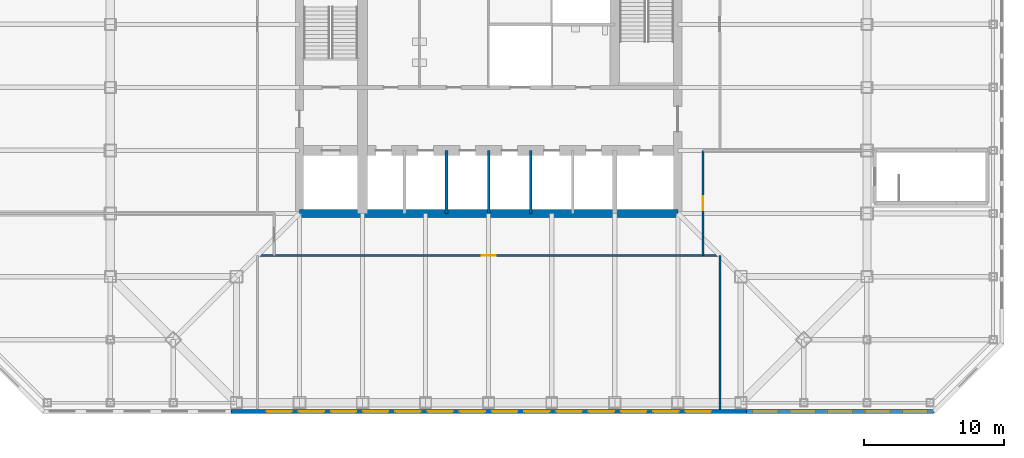
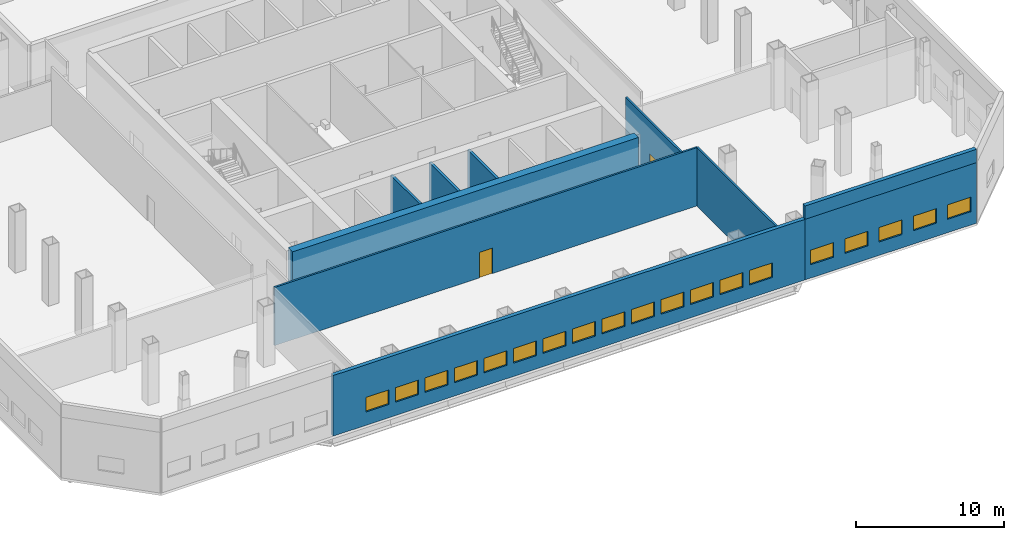
# One storey, part 7 of 14: 19 windows, 10 walls, 2 doors, 21 openings.
"""IFC4 building model written with IfcOpenShell, lengths in metres."""

from ifc_helpers import new_model, si_unit, direction, frame, frame_2d, origin, place, context, subcontext, project, spatial, rectangle, extrude, material, layer, layer_set, type_object, element, fill, save


model = new_model("IFC4")

# Units and contexts
model_context = context("Model", 3, precision=1e-05, world=origin(), true_north=direction((0.0, 1.0)))
body_context = subcontext(model_context, "Body", "Model", "MODEL_VIEW")
ifc_project = project(units=[si_unit("LENGTHUNIT", "METRE"), si_unit("AREAUNIT", "SQUARE_METRE"), si_unit("VOLUMEUNIT", "CUBIC_METRE"), si_unit("PLANEANGLEUNIT", "RADIAN"), si_unit("MASSUNIT", "GRAM", prefix="KILO")], contexts=[model_context])

# Site, building, storey
site_placement = place(None, origin())
site = spatial("IfcSite", under=ifc_project, at=site_placement, CompositionType="ELEMENT")
building_placement = place(site_placement, origin())
building = spatial("IfcBuilding", under=site, at=building_placement, Name="Corais Broadcast Tower", CompositionType="ELEMENT")
storey_placement = place(building_placement, frame((0.0, 0.0, 18.0)))
storey = spatial("IfcBuildingStorey", under=building, at=storey_placement, Name="L03", CompositionType="ELEMENT", Elevation=18.0)

# Walls
ifc_material_1 = material(Name="Concrete C50/60", Category="concrete")
ifc_layer_1 = layer(ifc_material_1, 0.60009765625)
ifc_layer_set_1 = layer_set([ifc_layer_1], Name="Concrete C50/60")
wall_type_1 = type_object("IfcWallType", Name="Core wall 600", PredefinedType="SHEAR", material=ifc_layer_set_1)
wall_1_placement = place(storey_placement, frame((13.5, 13.5, 0.0), z_axis=(0.0, 0.0, 1.0), x_axis=(1.0, 0.0, 0.0)))
element("IfcWall", 1, at=wall_1_placement, inside=storey, type_object=wall_type_1, Name="CR600 core wall S L03", PredefinedType="SHEAR", context=body_context, shape_type="SweptSolid", body=[
    extrude(rectangle(XDim=27.0, YDim=0.60009765625, at=frame_2d((13.5, 0.0))), origin(), (0.0, 0.0, 1.0), 5.0),
])
ifc_material_2 = material(Name="Precast concrete C40/50", Category="concrete")
ifc_layer_2 = layer(ifc_material_2, 0.300048828125)
ifc_layer_set_2 = layer_set([ifc_layer_2], Name="Precast concrete C40/50")
wall_type_2 = type_object("IfcWallType", Name="Parapet wall 300", PredefinedType="PARAPET", material=ifc_layer_set_2)
wall_2_placement = place(storey_placement, frame((58.760986328125, -0.6298828125, 5.0), z_axis=(0.0, 0.0, 1.0), x_axis=(-1.0, 0.0, 0.0)))
element("IfcWall", 2, at=wall_2_placement, inside=storey, type_object=wall_type_2, Name="PW1 parapet L03", PredefinedType="PARAPET", context=body_context, shape_type="SweptSolid", body=[
    extrude(rectangle(XDim=13.358642578125, YDim=0.300048828125, at=frame_2d((6.67919921875, 0.0))), origin(), (0.0, 0.0, 1.0), 1.10009765625),
])

# Wall, opening, door
ifc_material_3 = material(Name="Gypsum board on steel studs", Category="steel")
ifc_layer_3 = layer(ifc_material_3, 0.14990234375)
ifc_layer_set_3 = layer_set([ifc_layer_3], Name="Gypsum board on steel studs")
wall_type_3 = type_object("IfcWallType", Name="Partition 150", PredefinedType="PARTITIONING", material=ifc_layer_set_3)
wall_3_placement = place(storey_placement, frame((42.300048828125, 10.5, 0.0), z_axis=(0.0, 0.0, 1.0), x_axis=(0.0, 1.0, 0.0)))
wall_3 = element("IfcWall", 3, at=wall_3_placement, inside=storey, type_object=wall_type_3, Name="IW3 corridor wall L03", PredefinedType="PARTITIONING", context=body_context, shape_type="SweptSolid", body=[
    extrude(rectangle(XDim=7.5, YDim=0.14990234375, at=frame_2d((3.75, 0.0))), origin(), (0.0, 0.0, 1.0), 4.800048828125),
])
opening_1_placement = place(wall_3_placement, frame((3.25, 0.0, 0.0)))
opening_1 = element("IfcOpeningElement", 4, at=opening_1_placement, cuts=wall_3, Name="Opening D1", PredefinedType="OPENING", context=body_context, shape_type="SweptSolid", body=[
    extrude(rectangle(XDim=1.0, YDim=2.10009765625, at=frame_2d((0.5, 1.050048828125))), frame((0.0, 0.0849609375, 0.0), z_axis=(0.0, -1.0, 0.0), x_axis=(1.0, 0.0, 0.0)), (0.0, 0.0, 1.0), 0.169921875),
])
ifc_material_4 = material(Name="Timber door", Category="wood")
door_type = type_object("IfcDoorType", Name="Single door 1000x2100", OperationType="SINGLE_SWING_LEFT", PredefinedType="DOOR", material=ifc_material_4)
door_1_placement = place(opening_1_placement, origin())
door_1 = element("IfcDoor", 5, at=door_1_placement, inside=storey, type_object=door_type, Name="D1 workplace door L03", OperationType="SINGLE_SWING_LEFT", OverallHeight=2.10009765625, OverallWidth=1.0, PredefinedType="DOOR", context=body_context, shape_type="SweptSolid", body=[
    extrude(rectangle(XDim=1.0, YDim=2.10009765625, at=frame_2d((0.5, 1.050048828125))), frame((0.0, 0.02490234375, 0.0), z_axis=(0.0, -1.0, 0.0), x_axis=(1.0, 0.0, 0.0)), (0.0, 0.0, 1.0), 0.050048828125),
])
fill(opening_1, door_1)

# Wall
wall_4_placement = place(storey_placement, frame((43.5, -0.47998046875, 0.0), z_axis=(0.0, 0.0, 1.0), x_axis=(0.0, 1.0, 0.0)))
element("IfcWall", 6, at=wall_4_placement, inside=storey, type_object=wall_type_3, Name="IW3 partition L03", PredefinedType="PARTITIONING", context=body_context, shape_type="SweptSolid", body=[
    extrude(rectangle(XDim=10.97998046875, YDim=0.14990234375, at=frame_2d((5.489990234375, 0.0))), origin(), (0.0, 0.0, 1.0), 4.800048828125),
])

# Wall, opening, door
wall_5_placement = place(storey_placement, frame((43.5, 10.5, 0.0), z_axis=(0.0, 0.0, 1.0), x_axis=(-1.0, 0.0, 0.0)))
wall_5 = element("IfcWall", 7, at=wall_5_placement, inside=storey, type_object=wall_type_3, Name="IW3 partition L03", PredefinedType="PARTITIONING", context=body_context, shape_type="SweptSolid", body=[
    extrude(rectangle(XDim=33.0, YDim=0.14990234375, at=frame_2d((16.5, 0.0))), origin(), (0.0, 0.0, 1.0), 4.800048828125),
])
opening_2_placement = place(wall_5_placement, frame((16.0, 0.0, 0.0)))
opening_2 = element("IfcOpeningElement", 8, at=opening_2_placement, cuts=wall_5, Name="Opening D1", PredefinedType="OPENING", context=body_context, shape_type="SweptSolid", body=[
    extrude(rectangle(XDim=1.0, YDim=2.10009765625, at=frame_2d((0.5, 1.050048828125))), frame((0.0, 0.0849609375, 0.0), z_axis=(0.0, -1.0, 0.0), x_axis=(1.0, 0.0, 0.0)), (0.0, 0.0, 1.0), 0.169921875),
])
door_2_placement = place(opening_2_placement, origin())
door_2 = element("IfcDoor", 9, at=door_2_placement, inside=storey, type_object=door_type, Name="D1 Master control room door", OperationType="SINGLE_SWING_LEFT", OverallHeight=2.10009765625, OverallWidth=1.0, PredefinedType="DOOR", context=body_context, shape_type="SweptSolid", body=[
    extrude(rectangle(XDim=1.0, YDim=2.10009765625, at=frame_2d((0.5, 1.050048828125))), frame((0.0, 0.02490234375, 0.0), z_axis=(0.0, -1.0, 0.0), x_axis=(1.0, 0.0, 0.0)), (0.0, 0.0, 1.0), 0.050048828125),
])
fill(opening_2, door_2)

# Walls
ifc_material_5 = material(Name="Concrete blockwork class A, grouted, two-hour", Category="masonry")
ifc_layer_4 = layer(ifc_material_5, 0.199951171875)
ifc_layer_set_4 = layer_set([ifc_layer_4], Name="Concrete blockwork class A, grouted, two-hour")
wall_type_4 = type_object("IfcWallType", Name="Shaft wall 200", PredefinedType="PARTITIONING", material=ifc_layer_set_4)
for number, where, z_axis, x_axis, name in (
    (10, (24.0, 13.5, 0.0), (0.0, 0.0, 1.0), (0.0, 1.0, 0.0), "IW1 shaft wall L03"),
    (11, (27.0, 13.5, 0.0), (0.0, 0.0, 1.0), (0.0, 1.0, 0.0), "IW1 shaft wall L03"),
    (12, (30.0, 13.5, 0.0), (0.0, 0.0, 1.0), (0.0, 1.0, 0.0), "IW1 shaft wall L03"),
):
    element("IfcWall", number, at=place(storey_placement, frame(where, z_axis=z_axis, x_axis=x_axis)), inside=storey, type_object=wall_type_4, Name=name, PredefinedType="PARTITIONING", context=body_context, shape_type="SweptSolid", body=[
        extrude(rectangle(XDim=4.5, YDim=0.199951171875, at=frame_2d((2.25, 0.0))), origin(), (0.0, 0.0, 1.0), 4.800048828125),
    ])

# Wall, openings, windows
ifc_material_6 = material(Name="Precast concrete C40/50", Category="concrete")
ifc_layer_5 = layer(ifc_material_6, 0.300048828125)
ifc_layer_set_5 = layer_set([ifc_layer_5], Name="Precast concrete C40/50")
wall_type_5 = type_object("IfcWallType", Name="Stone-faced precast wall 300", PredefinedType="SOLIDWALL", material=ifc_layer_set_5)
wall_6_placement = place(storey_placement, frame((58.760986328125, -0.6298828125, 0.0), z_axis=(0.0, 0.0, 1.0), x_axis=(-1.0, 0.0, 0.0)))
wall_6 = element("IfcWall", 13, at=wall_6_placement, inside=storey, type_object=wall_type_5, Name="EW1 external wall L03 8", PredefinedType="SOLIDWALL", context=body_context, shape_type="SweptSolid", body=[
    extrude(rectangle(XDim=13.358642578125, YDim=0.300048828125, at=frame_2d((6.67919921875, 0.0))), origin(), (0.0, 0.0, 1.0), 5.0),
])
opening_3_placement = place(wall_6_placement, frame((0.435791015625, 0.0, 1.10009765625)))
opening_3 = element("IfcOpeningElement", 14, at=opening_3_placement, cuts=wall_6, Name="Opening W1", PredefinedType="OPENING", context=body_context, shape_type="SweptSolid", body=[
    extrude(rectangle(XDim=1.800048828125, YDim=1.199951171875, at=frame_2d((0.89990234375, 0.60009765625))), frame((0.0, 0.159912109375, 0.0), z_axis=(0.0, -1.0, 0.0), x_axis=(1.0, 0.0, 0.0)), (0.0, 0.0, 1.0), 0.320068359375),
])
opening_4_placement = place(wall_6_placement, frame((3.107666015625, 0.0, 1.10009765625)))
opening_4 = element("IfcOpeningElement", 15, at=opening_4_placement, cuts=wall_6, Name="Opening W1", PredefinedType="OPENING", context=body_context, shape_type="SweptSolid", body=[
    extrude(rectangle(XDim=1.800048828125, YDim=1.199951171875, at=frame_2d((0.89990234375, 0.60009765625))), frame((0.0, 0.159912109375, 0.0), z_axis=(0.0, -1.0, 0.0), x_axis=(1.0, 0.0, 0.0)), (0.0, 0.0, 1.0), 0.320068359375),
])
opening_5_placement = place(wall_6_placement, frame((5.779296875, 0.0, 1.10009765625)))
opening_5 = element("IfcOpeningElement", 16, at=opening_5_placement, cuts=wall_6, Name="Opening W1", PredefinedType="OPENING", context=body_context, shape_type="SweptSolid", body=[
    extrude(rectangle(XDim=1.800048828125, YDim=1.199951171875, at=frame_2d((0.89990234375, 0.60009765625))), frame((0.0, 0.159912109375, 0.0), z_axis=(0.0, -1.0, 0.0), x_axis=(1.0, 0.0, 0.0)), (0.0, 0.0, 1.0), 0.320068359375),
])
opening_6_placement = place(wall_6_placement, frame((8.450927734375, 0.0, 1.10009765625)))
opening_6 = element("IfcOpeningElement", 17, at=opening_6_placement, cuts=wall_6, Name="Opening W1", PredefinedType="OPENING", context=body_context, shape_type="SweptSolid", body=[
    extrude(rectangle(XDim=1.800048828125, YDim=1.199951171875, at=frame_2d((0.89990234375, 0.60009765625))), frame((0.0, 0.159912109375, 0.0), z_axis=(0.0, -1.0, 0.0), x_axis=(1.0, 0.0, 0.0)), (0.0, 0.0, 1.0), 0.320068359375),
])
opening_7_placement = place(wall_6_placement, frame((11.122802734375, 0.0, 1.10009765625)))
opening_7 = element("IfcOpeningElement", 18, at=opening_7_placement, cuts=wall_6, Name="Opening W1", PredefinedType="OPENING", context=body_context, shape_type="SweptSolid", body=[
    extrude(rectangle(XDim=1.800048828125, YDim=1.199951171875, at=frame_2d((0.89990234375, 0.60009765625))), frame((0.0, 0.159912109375, 0.0), z_axis=(0.0, -1.0, 0.0), x_axis=(1.0, 0.0, 0.0)), (0.0, 0.0, 1.0), 0.320068359375),
])
ifc_material_7 = material(Name="Aluminium frame", Category="aluminium")
window_type = type_object("IfcWindowType", Name="Fixed window 1800x1200", PartitioningType="SINGLE_PANEL", PredefinedType="WINDOW", material=ifc_material_7)
window_1_placement = place(opening_3_placement, origin())
window_1 = element("IfcWindow", 19, at=window_1_placement, inside=storey, type_object=window_type, Name="W1 window L03", OverallHeight=1.199951171875, OverallWidth=1.800048828125, PartitioningType="SINGLE_PANEL", PredefinedType="WINDOW", context=body_context, shape_type="SweptSolid", body=[
    extrude(rectangle(XDim=1.800048828125, YDim=1.199951171875, at=frame_2d((0.89990234375, 0.60009765625))), frame((0.0, 0.030029296875, 0.0), z_axis=(0.0, -1.0, 0.0), x_axis=(1.0, 0.0, 0.0)), (0.0, 0.0, 1.0), 0.06005859375),
])
fill(opening_3, window_1)
window_2_placement = place(opening_4_placement, origin())
window_2 = element("IfcWindow", 20, at=window_2_placement, inside=storey, type_object=window_type, Name="W1 window L03", OverallHeight=1.199951171875, OverallWidth=1.800048828125, PartitioningType="SINGLE_PANEL", PredefinedType="WINDOW", context=body_context, shape_type="SweptSolid", body=[
    extrude(rectangle(XDim=1.800048828125, YDim=1.199951171875, at=frame_2d((0.89990234375, 0.60009765625))), frame((0.0, 0.030029296875, 0.0), z_axis=(0.0, -1.0, 0.0), x_axis=(1.0, 0.0, 0.0)), (0.0, 0.0, 1.0), 0.06005859375),
])
fill(opening_4, window_2)
window_3_placement = place(opening_5_placement, origin())
window_3 = element("IfcWindow", 21, at=window_3_placement, inside=storey, type_object=window_type, Name="W1 window L03", OverallHeight=1.199951171875, OverallWidth=1.800048828125, PartitioningType="SINGLE_PANEL", PredefinedType="WINDOW", context=body_context, shape_type="SweptSolid", body=[
    extrude(rectangle(XDim=1.800048828125, YDim=1.199951171875, at=frame_2d((0.89990234375, 0.60009765625))), frame((0.0, 0.030029296875, 0.0), z_axis=(0.0, -1.0, 0.0), x_axis=(1.0, 0.0, 0.0)), (0.0, 0.0, 1.0), 0.06005859375),
])
fill(opening_5, window_3)
window_4_placement = place(opening_6_placement, origin())
window_4 = element("IfcWindow", 22, at=window_4_placement, inside=storey, type_object=window_type, Name="W1 window L03", OverallHeight=1.199951171875, OverallWidth=1.800048828125, PartitioningType="SINGLE_PANEL", PredefinedType="WINDOW", context=body_context, shape_type="SweptSolid", body=[
    extrude(rectangle(XDim=1.800048828125, YDim=1.199951171875, at=frame_2d((0.89990234375, 0.60009765625))), frame((0.0, 0.030029296875, 0.0), z_axis=(0.0, -1.0, 0.0), x_axis=(1.0, 0.0, 0.0)), (0.0, 0.0, 1.0), 0.06005859375),
])
fill(opening_6, window_4)
window_5_placement = place(opening_7_placement, origin())
window_5 = element("IfcWindow", 23, at=window_5_placement, inside=storey, type_object=window_type, Name="W1 window L03", OverallHeight=1.199951171875, OverallWidth=1.800048828125, PartitioningType="SINGLE_PANEL", PredefinedType="WINDOW", context=body_context, shape_type="SweptSolid", body=[
    extrude(rectangle(XDim=1.800048828125, YDim=1.199951171875, at=frame_2d((0.89990234375, 0.60009765625))), frame((0.0, 0.030029296875, 0.0), z_axis=(0.0, -1.0, 0.0), x_axis=(1.0, 0.0, 0.0)), (0.0, 0.0, 1.0), 0.06005859375),
])
fill(opening_7, window_5)

wall_7_placement = place(storey_placement, frame((45.40234375, -0.6298828125, 0.0), z_axis=(0.0, 0.0, 1.0), x_axis=(-1.0, 0.0, 0.0)))
wall_7 = element("IfcWall", 24, at=wall_7_placement, inside=storey, type_object=wall_type_5, Name="EW1 external wall L03 8", PredefinedType="SOLIDWALL", context=body_context, shape_type="SweptSolid", body=[
    extrude(rectangle(XDim=36.8046875, YDim=0.300048828125, at=frame_2d((18.40234375, 0.0))), origin(), (0.0, 0.0, 1.0), 5.0),
])
opening_8_placement = place(wall_7_placement, frame((2.550537109375, 0.0, 1.10009765625)))
opening_8 = element("IfcOpeningElement", 25, at=opening_8_placement, cuts=wall_7, Name="Opening W1", PredefinedType="OPENING", context=body_context, shape_type="SweptSolid", body=[
    extrude(rectangle(XDim=1.800048828125, YDim=1.199951171875, at=frame_2d((0.89990234375, 0.60009765625))), frame((0.0, 0.159912109375, 0.0), z_axis=(0.0, -1.0, 0.0), x_axis=(1.0, 0.0, 0.0)), (0.0, 0.0, 1.0), 0.320068359375),
])
opening_9_placement = place(wall_7_placement, frame((4.850830078125, 0.0, 1.10009765625)))
opening_9 = element("IfcOpeningElement", 26, at=opening_9_placement, cuts=wall_7, Name="Opening W1", PredefinedType="OPENING", context=body_context, shape_type="SweptSolid", body=[
    extrude(rectangle(XDim=1.800048828125, YDim=1.199951171875, at=frame_2d((0.89990234375, 0.60009765625))), frame((0.0, 0.159912109375, 0.0), z_axis=(0.0, -1.0, 0.0), x_axis=(1.0, 0.0, 0.0)), (0.0, 0.0, 1.0), 0.320068359375),
])
opening_10_placement = place(wall_7_placement, frame((7.151123046875, 0.0, 1.10009765625)))
opening_10 = element("IfcOpeningElement", 27, at=opening_10_placement, cuts=wall_7, Name="Opening W1", PredefinedType="OPENING", context=body_context, shape_type="SweptSolid", body=[
    extrude(rectangle(XDim=1.800048828125, YDim=1.199951171875, at=frame_2d((0.89990234375, 0.60009765625))), frame((0.0, 0.159912109375, 0.0), z_axis=(0.0, -1.0, 0.0), x_axis=(1.0, 0.0, 0.0)), (0.0, 0.0, 1.0), 0.320068359375),
])
opening_11_placement = place(wall_7_placement, frame((9.451416015625, 0.0, 1.10009765625)))
opening_11 = element("IfcOpeningElement", 28, at=opening_11_placement, cuts=wall_7, Name="Opening W1", PredefinedType="OPENING", context=body_context, shape_type="SweptSolid", body=[
    extrude(rectangle(XDim=1.800048828125, YDim=1.199951171875, at=frame_2d((0.89990234375, 0.60009765625))), frame((0.0, 0.159912109375, 0.0), z_axis=(0.0, -1.0, 0.0), x_axis=(1.0, 0.0, 0.0)), (0.0, 0.0, 1.0), 0.320068359375),
])
opening_12_placement = place(wall_7_placement, frame((11.751708984375, 0.0, 1.10009765625)))
opening_12 = element("IfcOpeningElement", 29, at=opening_12_placement, cuts=wall_7, Name="Opening W1", PredefinedType="OPENING", context=body_context, shape_type="SweptSolid", body=[
    extrude(rectangle(XDim=1.800048828125, YDim=1.199951171875, at=frame_2d((0.89990234375, 0.60009765625))), frame((0.0, 0.159912109375, 0.0), z_axis=(0.0, -1.0, 0.0), x_axis=(1.0, 0.0, 0.0)), (0.0, 0.0, 1.0), 0.320068359375),
])
opening_13_placement = place(wall_7_placement, frame((14.052001953125, 0.0, 1.10009765625)))
opening_13 = element("IfcOpeningElement", 30, at=opening_13_placement, cuts=wall_7, Name="Opening W1", PredefinedType="OPENING", context=body_context, shape_type="SweptSolid", body=[
    extrude(rectangle(XDim=1.800048828125, YDim=1.199951171875, at=frame_2d((0.89990234375, 0.60009765625))), frame((0.0, 0.159912109375, 0.0), z_axis=(0.0, -1.0, 0.0), x_axis=(1.0, 0.0, 0.0)), (0.0, 0.0, 1.0), 0.320068359375),
])
opening_14_placement = place(wall_7_placement, frame((16.352294921875, 0.0, 1.10009765625)))
opening_14 = element("IfcOpeningElement", 31, at=opening_14_placement, cuts=wall_7, Name="Opening W1", PredefinedType="OPENING", context=body_context, shape_type="SweptSolid", body=[
    extrude(rectangle(XDim=1.800048828125, YDim=1.199951171875, at=frame_2d((0.89990234375, 0.60009765625))), frame((0.0, 0.159912109375, 0.0), z_axis=(0.0, -1.0, 0.0), x_axis=(1.0, 0.0, 0.0)), (0.0, 0.0, 1.0), 0.320068359375),
])
opening_15_placement = place(wall_7_placement, frame((18.652587890625, 0.0, 1.10009765625)))
opening_15 = element("IfcOpeningElement", 32, at=opening_15_placement, cuts=wall_7, Name="Opening W1", PredefinedType="OPENING", context=body_context, shape_type="SweptSolid", body=[
    extrude(rectangle(XDim=1.800048828125, YDim=1.199951171875, at=frame_2d((0.89990234375, 0.60009765625))), frame((0.0, 0.159912109375, 0.0), z_axis=(0.0, -1.0, 0.0), x_axis=(1.0, 0.0, 0.0)), (0.0, 0.0, 1.0), 0.320068359375),
])
opening_16_placement = place(wall_7_placement, frame((20.952880859375, 0.0, 1.10009765625)))
opening_16 = element("IfcOpeningElement", 33, at=opening_16_placement, cuts=wall_7, Name="Opening W1", PredefinedType="OPENING", context=body_context, shape_type="SweptSolid", body=[
    extrude(rectangle(XDim=1.800048828125, YDim=1.199951171875, at=frame_2d((0.89990234375, 0.60009765625))), frame((0.0, 0.159912109375, 0.0), z_axis=(0.0, -1.0, 0.0), x_axis=(1.0, 0.0, 0.0)), (0.0, 0.0, 1.0), 0.320068359375),
])
opening_17_placement = place(wall_7_placement, frame((23.253173828125, 0.0, 1.10009765625)))
opening_17 = element("IfcOpeningElement", 34, at=opening_17_placement, cuts=wall_7, Name="Opening W1", PredefinedType="OPENING", context=body_context, shape_type="SweptSolid", body=[
    extrude(rectangle(XDim=1.800048828125, YDim=1.199951171875, at=frame_2d((0.89990234375, 0.60009765625))), frame((0.0, 0.159912109375, 0.0), z_axis=(0.0, -1.0, 0.0), x_axis=(1.0, 0.0, 0.0)), (0.0, 0.0, 1.0), 0.320068359375),
])
opening_18_placement = place(wall_7_placement, frame((25.553466796875, 0.0, 1.10009765625)))
opening_18 = element("IfcOpeningElement", 35, at=opening_18_placement, cuts=wall_7, Name="Opening W1", PredefinedType="OPENING", context=body_context, shape_type="SweptSolid", body=[
    extrude(rectangle(XDim=1.800048828125, YDim=1.199951171875, at=frame_2d((0.89990234375, 0.60009765625))), frame((0.0, 0.159912109375, 0.0), z_axis=(0.0, -1.0, 0.0), x_axis=(1.0, 0.0, 0.0)), (0.0, 0.0, 1.0), 0.320068359375),
])
opening_19_placement = place(wall_7_placement, frame((27.853759765625, 0.0, 1.10009765625)))
opening_19 = element("IfcOpeningElement", 36, at=opening_19_placement, cuts=wall_7, Name="Opening W1", PredefinedType="OPENING", context=body_context, shape_type="SweptSolid", body=[
    extrude(rectangle(XDim=1.800048828125, YDim=1.199951171875, at=frame_2d((0.89990234375, 0.60009765625))), frame((0.0, 0.159912109375, 0.0), z_axis=(0.0, -1.0, 0.0), x_axis=(1.0, 0.0, 0.0)), (0.0, 0.0, 1.0), 0.320068359375),
])
opening_20_placement = place(wall_7_placement, frame((30.154052734375, 0.0, 1.10009765625)))
opening_20 = element("IfcOpeningElement", 37, at=opening_20_placement, cuts=wall_7, Name="Opening W1", PredefinedType="OPENING", context=body_context, shape_type="SweptSolid", body=[
    extrude(rectangle(XDim=1.800048828125, YDim=1.199951171875, at=frame_2d((0.89990234375, 0.60009765625))), frame((0.0, 0.159912109375, 0.0), z_axis=(0.0, -1.0, 0.0), x_axis=(1.0, 0.0, 0.0)), (0.0, 0.0, 1.0), 0.320068359375),
])
opening_21_placement = place(wall_7_placement, frame((32.454345703125, 0.0, 1.10009765625)))
opening_21 = element("IfcOpeningElement", 38, at=opening_21_placement, cuts=wall_7, Name="Opening W1", PredefinedType="OPENING", context=body_context, shape_type="SweptSolid", body=[
    extrude(rectangle(XDim=1.800048828125, YDim=1.199951171875, at=frame_2d((0.89990234375, 0.60009765625))), frame((0.0, 0.159912109375, 0.0), z_axis=(0.0, -1.0, 0.0), x_axis=(1.0, 0.0, 0.0)), (0.0, 0.0, 1.0), 0.320068359375),
])
window_6_placement = place(opening_8_placement, origin())
window_6 = element("IfcWindow", 39, at=window_6_placement, inside=storey, type_object=window_type, Name="W1 window L03", OverallHeight=1.199951171875, OverallWidth=1.800048828125, PartitioningType="SINGLE_PANEL", PredefinedType="WINDOW", context=body_context, shape_type="SweptSolid", body=[
    extrude(rectangle(XDim=1.800048828125, YDim=1.199951171875, at=frame_2d((0.89990234375, 0.60009765625))), frame((0.0, 0.030029296875, 0.0), z_axis=(0.0, -1.0, 0.0), x_axis=(1.0, 0.0, 0.0)), (0.0, 0.0, 1.0), 0.06005859375),
])
fill(opening_8, window_6)
window_7_placement = place(opening_9_placement, origin())
window_7 = element("IfcWindow", 40, at=window_7_placement, inside=storey, type_object=window_type, Name="W1 window L03", OverallHeight=1.199951171875, OverallWidth=1.800048828125, PartitioningType="SINGLE_PANEL", PredefinedType="WINDOW", context=body_context, shape_type="SweptSolid", body=[
    extrude(rectangle(XDim=1.800048828125, YDim=1.199951171875, at=frame_2d((0.89990234375, 0.60009765625))), frame((0.0, 0.030029296875, 0.0), z_axis=(0.0, -1.0, 0.0), x_axis=(1.0, 0.0, 0.0)), (0.0, 0.0, 1.0), 0.06005859375),
])
fill(opening_9, window_7)
window_8_placement = place(opening_10_placement, origin())
window_8 = element("IfcWindow", 41, at=window_8_placement, inside=storey, type_object=window_type, Name="W1 window L03", OverallHeight=1.199951171875, OverallWidth=1.800048828125, PartitioningType="SINGLE_PANEL", PredefinedType="WINDOW", context=body_context, shape_type="SweptSolid", body=[
    extrude(rectangle(XDim=1.800048828125, YDim=1.199951171875, at=frame_2d((0.89990234375, 0.60009765625))), frame((0.0, 0.030029296875, 0.0), z_axis=(0.0, -1.0, 0.0), x_axis=(1.0, 0.0, 0.0)), (0.0, 0.0, 1.0), 0.06005859375),
])
fill(opening_10, window_8)
window_9_placement = place(opening_11_placement, origin())
window_9 = element("IfcWindow", 42, at=window_9_placement, inside=storey, type_object=window_type, Name="W1 window L03", OverallHeight=1.199951171875, OverallWidth=1.800048828125, PartitioningType="SINGLE_PANEL", PredefinedType="WINDOW", context=body_context, shape_type="SweptSolid", body=[
    extrude(rectangle(XDim=1.800048828125, YDim=1.199951171875, at=frame_2d((0.89990234375, 0.60009765625))), frame((0.0, 0.030029296875, 0.0), z_axis=(0.0, -1.0, 0.0), x_axis=(1.0, 0.0, 0.0)), (0.0, 0.0, 1.0), 0.06005859375),
])
fill(opening_11, window_9)
window_10_placement = place(opening_12_placement, origin())
window_10 = element("IfcWindow", 43, at=window_10_placement, inside=storey, type_object=window_type, Name="W1 window L03", OverallHeight=1.199951171875, OverallWidth=1.800048828125, PartitioningType="SINGLE_PANEL", PredefinedType="WINDOW", context=body_context, shape_type="SweptSolid", body=[
    extrude(rectangle(XDim=1.800048828125, YDim=1.199951171875, at=frame_2d((0.89990234375, 0.60009765625))), frame((0.0, 0.030029296875, 0.0), z_axis=(0.0, -1.0, 0.0), x_axis=(1.0, 0.0, 0.0)), (0.0, 0.0, 1.0), 0.06005859375),
])
fill(opening_12, window_10)
window_11_placement = place(opening_13_placement, origin())
window_11 = element("IfcWindow", 44, at=window_11_placement, inside=storey, type_object=window_type, Name="W1 window L03", OverallHeight=1.199951171875, OverallWidth=1.800048828125, PartitioningType="SINGLE_PANEL", PredefinedType="WINDOW", context=body_context, shape_type="SweptSolid", body=[
    extrude(rectangle(XDim=1.800048828125, YDim=1.199951171875, at=frame_2d((0.89990234375, 0.60009765625))), frame((0.0, 0.030029296875, 0.0), z_axis=(0.0, -1.0, 0.0), x_axis=(1.0, 0.0, 0.0)), (0.0, 0.0, 1.0), 0.06005859375),
])
fill(opening_13, window_11)
window_12_placement = place(opening_14_placement, origin())
window_12 = element("IfcWindow", 45, at=window_12_placement, inside=storey, type_object=window_type, Name="W1 window L03", OverallHeight=1.199951171875, OverallWidth=1.800048828125, PartitioningType="SINGLE_PANEL", PredefinedType="WINDOW", context=body_context, shape_type="SweptSolid", body=[
    extrude(rectangle(XDim=1.800048828125, YDim=1.199951171875, at=frame_2d((0.89990234375, 0.60009765625))), frame((0.0, 0.030029296875, 0.0), z_axis=(0.0, -1.0, 0.0), x_axis=(1.0, 0.0, 0.0)), (0.0, 0.0, 1.0), 0.06005859375),
])
fill(opening_14, window_12)
window_13_placement = place(opening_15_placement, origin())
window_13 = element("IfcWindow", 46, at=window_13_placement, inside=storey, type_object=window_type, Name="W1 window L03", OverallHeight=1.199951171875, OverallWidth=1.800048828125, PartitioningType="SINGLE_PANEL", PredefinedType="WINDOW", context=body_context, shape_type="SweptSolid", body=[
    extrude(rectangle(XDim=1.800048828125, YDim=1.199951171875, at=frame_2d((0.89990234375, 0.60009765625))), frame((0.0, 0.030029296875, 0.0), z_axis=(0.0, -1.0, 0.0), x_axis=(1.0, 0.0, 0.0)), (0.0, 0.0, 1.0), 0.06005859375),
])
fill(opening_15, window_13)
window_14_placement = place(opening_16_placement, origin())
window_14 = element("IfcWindow", 47, at=window_14_placement, inside=storey, type_object=window_type, Name="W1 window L03", OverallHeight=1.199951171875, OverallWidth=1.800048828125, PartitioningType="SINGLE_PANEL", PredefinedType="WINDOW", context=body_context, shape_type="SweptSolid", body=[
    extrude(rectangle(XDim=1.800048828125, YDim=1.199951171875, at=frame_2d((0.89990234375, 0.60009765625))), frame((0.0, 0.030029296875, 0.0), z_axis=(0.0, -1.0, 0.0), x_axis=(1.0, 0.0, 0.0)), (0.0, 0.0, 1.0), 0.06005859375),
])
fill(opening_16, window_14)
window_15_placement = place(opening_17_placement, origin())
window_15 = element("IfcWindow", 48, at=window_15_placement, inside=storey, type_object=window_type, Name="W1 window L03", OverallHeight=1.199951171875, OverallWidth=1.800048828125, PartitioningType="SINGLE_PANEL", PredefinedType="WINDOW", context=body_context, shape_type="SweptSolid", body=[
    extrude(rectangle(XDim=1.800048828125, YDim=1.199951171875, at=frame_2d((0.89990234375, 0.60009765625))), frame((0.0, 0.030029296875, 0.0), z_axis=(0.0, -1.0, 0.0), x_axis=(1.0, 0.0, 0.0)), (0.0, 0.0, 1.0), 0.06005859375),
])
fill(opening_17, window_15)
window_16_placement = place(opening_18_placement, origin())
window_16 = element("IfcWindow", 49, at=window_16_placement, inside=storey, type_object=window_type, Name="W1 window L03", OverallHeight=1.199951171875, OverallWidth=1.800048828125, PartitioningType="SINGLE_PANEL", PredefinedType="WINDOW", context=body_context, shape_type="SweptSolid", body=[
    extrude(rectangle(XDim=1.800048828125, YDim=1.199951171875, at=frame_2d((0.89990234375, 0.60009765625))), frame((0.0, 0.030029296875, 0.0), z_axis=(0.0, -1.0, 0.0), x_axis=(1.0, 0.0, 0.0)), (0.0, 0.0, 1.0), 0.06005859375),
])
fill(opening_18, window_16)
window_17_placement = place(opening_19_placement, origin())
window_17 = element("IfcWindow", 50, at=window_17_placement, inside=storey, type_object=window_type, Name="W1 window L03", OverallHeight=1.199951171875, OverallWidth=1.800048828125, PartitioningType="SINGLE_PANEL", PredefinedType="WINDOW", context=body_context, shape_type="SweptSolid", body=[
    extrude(rectangle(XDim=1.800048828125, YDim=1.199951171875, at=frame_2d((0.89990234375, 0.60009765625))), frame((0.0, 0.030029296875, 0.0), z_axis=(0.0, -1.0, 0.0), x_axis=(1.0, 0.0, 0.0)), (0.0, 0.0, 1.0), 0.06005859375),
])
fill(opening_19, window_17)
window_18_placement = place(opening_20_placement, origin())
window_18 = element("IfcWindow", 51, at=window_18_placement, inside=storey, type_object=window_type, Name="W1 window L03", OverallHeight=1.199951171875, OverallWidth=1.800048828125, PartitioningType="SINGLE_PANEL", PredefinedType="WINDOW", context=body_context, shape_type="SweptSolid", body=[
    extrude(rectangle(XDim=1.800048828125, YDim=1.199951171875, at=frame_2d((0.89990234375, 0.60009765625))), frame((0.0, 0.030029296875, 0.0), z_axis=(0.0, -1.0, 0.0), x_axis=(1.0, 0.0, 0.0)), (0.0, 0.0, 1.0), 0.06005859375),
])
fill(opening_20, window_18)
window_19_placement = place(opening_21_placement, origin())
window_19 = element("IfcWindow", 52, at=window_19_placement, inside=storey, type_object=window_type, Name="W1 window L03", OverallHeight=1.199951171875, OverallWidth=1.800048828125, PartitioningType="SINGLE_PANEL", PredefinedType="WINDOW", context=body_context, shape_type="SweptSolid", body=[
    extrude(rectangle(XDim=1.800048828125, YDim=1.199951171875, at=frame_2d((0.89990234375, 0.60009765625))), frame((0.0, 0.030029296875, 0.0), z_axis=(0.0, -1.0, 0.0), x_axis=(1.0, 0.0, 0.0)), (0.0, 0.0, 1.0), 0.06005859375),
])
fill(opening_21, window_19)

save(model, "model.ifc")
